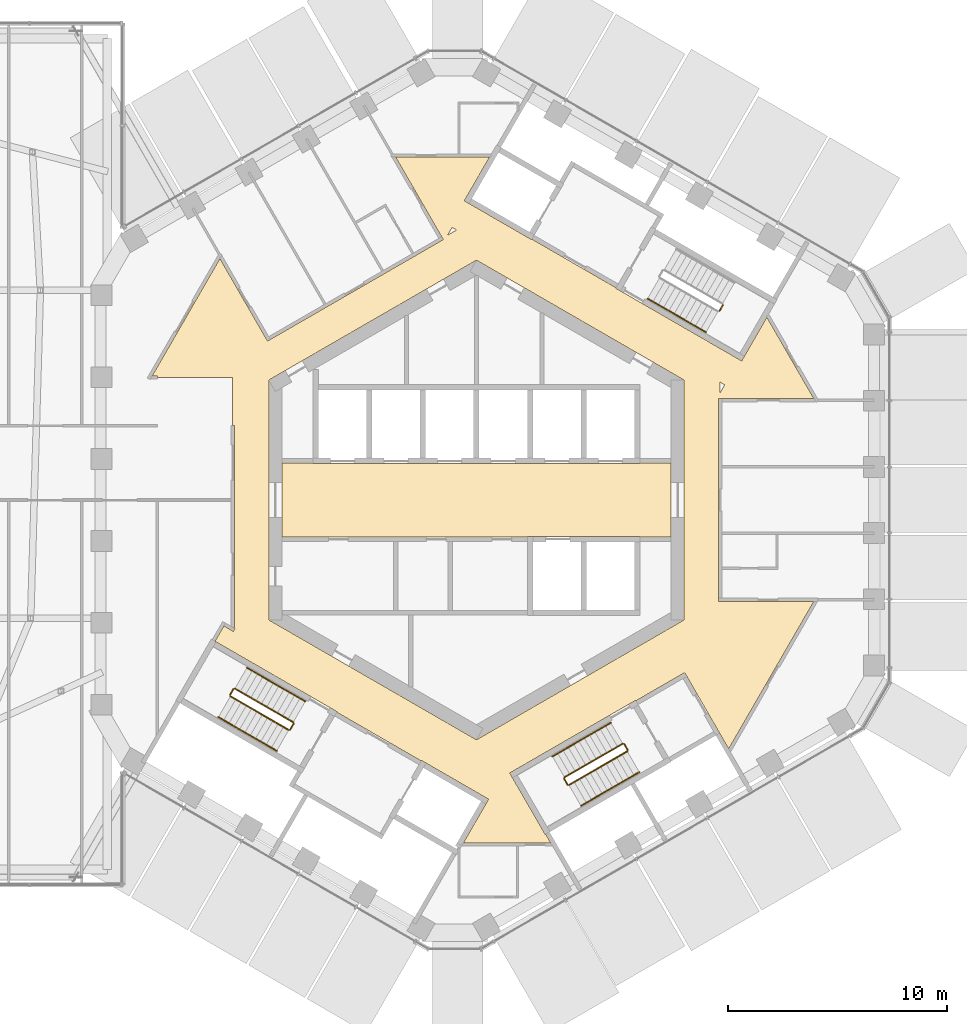
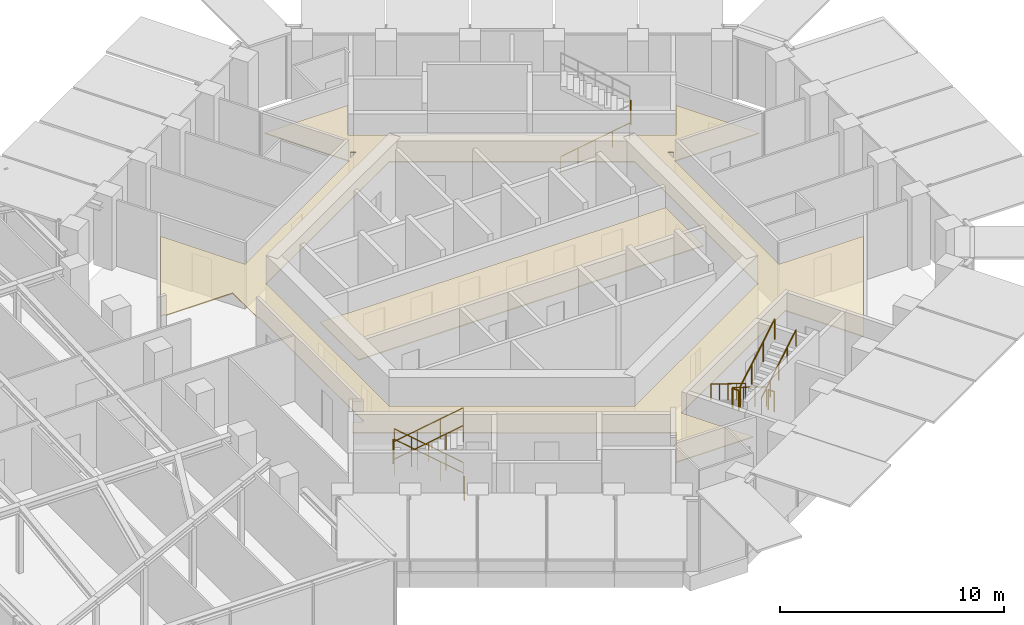
# One storey, part 23 of 24: 19 railings, 2 coverings.
"""IFC4 building model written with IfcOpenShell, lengths in metres."""

from ifc_helpers import new_model, si_unit, direction, frame, origin, origin_2d, place, context, subcontext, project, spatial, polyline, circle, outline, extrude, material, layer, layer_set, type_object, element, save


model = new_model("IFC4")

# Units and contexts
model_context = context("Model", 3, precision=1e-05, world=origin(), true_north=direction((0.0, 1.0)))
body_context = subcontext(model_context, "Body", "Model", "MODEL_VIEW")
ifc_project = project(units=[si_unit("LENGTHUNIT", "METRE"), si_unit("AREAUNIT", "SQUARE_METRE"), si_unit("VOLUMEUNIT", "CUBIC_METRE"), si_unit("PLANEANGLEUNIT", "RADIAN"), si_unit("MASSUNIT", "GRAM", prefix="KILO")], contexts=[model_context])

# Site, building, storey
site_placement = place(None, origin())
site = spatial("IfcSite", under=ifc_project, at=site_placement, CompositionType="ELEMENT")
building_placement = place(site_placement, origin())
building = spatial("IfcBuilding", under=site, at=building_placement, Name="Ayvan Gate Tower", CompositionType="ELEMENT")
storey_placement = place(building_placement, frame((0.0, 0.0, 210.10009765625)))
storey = spatial("IfcBuildingStorey", under=building, at=storey_placement, Name="L56", CompositionType="ELEMENT", Elevation=210.10009765625)

# Coverings
ifc_material_1 = material(Name="Plasterboard suspended ceiling")
ifc_layer = layer(ifc_material_1, 0.050048828125)
ifc_layer_set = layer_set([ifc_layer], Name="Plasterboard suspended ceiling")
covering_type = type_object("IfcCoveringType", Name="CT-SUSP-50", PredefinedType="CEILING", material=ifc_layer_set)
covering_1_placement = place(storey_placement, frame((0.0, 0.0, 2.39990234375)))
element("IfcCovering", 1, at=covering_1_placement, inside=storey, type_object=covering_type, Name="Ceiling Lift Lobby L56", PredefinedType="CEILING", context=body_context, shape_type="SweptSolid", body=[
    extrude(outline(polyline([(7.47509765625, -1.675048828125), (2.324951171875, -1.675048828125), (2.324951171875, -1.699951171875), (-8.89990234375, -1.699951171875), (-8.89990234375, 1.699951171875), (-7.47509765625, 1.699951171875), (-7.47509765625, 1.675048828125), (7.47509765625, 1.675048828125), (7.47509765625, 1.699951171875), (8.89990234375, 1.699951171875), (8.89990234375, -1.699951171875), (7.47509765625, -1.699951171875), (7.47509765625, -1.675048828125)])), origin(), (0.0, 0.0, 1.0), 0.050048828125),
])
covering_2_placement = place(storey_placement, frame((0.0, 0.0, 2.39990234375)))
element("IfcCovering", 2, at=covering_2_placement, inside=storey, type_object=covering_type, Name="Ceiling Ring Corridor L56", PredefinedType="CEILING", context=body_context, shape_type="SweptSolid", body=[
    extrude(outline(polyline([(-11.914794921875, -6.48681640625), (-11.9580078125, -6.461669921875), (-11.552978515625, -5.76025390625), (-11.12255859375, -6.0087890625), (-11.047607421875, -5.87890625), (-11.1298828125, -5.831298828125), (-11.074951171875, -5.831298828125), (-11.074951171875, 3.396484375), (-11.14990234375, 3.396484375), (-11.14990234375, 5.60791015625), (-14.600341796875, 5.60791015625), (-14.600341796875, 5.682861328125), (-14.827392578125, 5.682861328125), (-11.734130859375, 11.040771484375), (-9.557373046875, 7.2705078125), (-9.42724609375, 7.345458984375), (-1.517578125, 11.912109375), (-1.5927734375, 12.0419921875), (-3.694580078125, 15.682373046875), (0.59619140625, 15.682373046875), (-0.55615234375, 13.686767578125), (-0.339599609375, 13.561767578125), (2.518310546875, 11.91162109375), (2.53076171875, 11.933349609375), (6.384521484375, 9.70849609375), (6.3720703125, 9.686767578125), (6.588623046875, 9.561767578125), (12.131103515625, 6.36181640625), (12.24609375, 6.56103515625), (13.283447265625, 8.357421875), (15.4287109375, 4.6416015625), (11.074951171875, 4.6416015625), (11.074951171875, -4.6416015625), (15.4287109375, -4.6416015625), (11.536865234375, -11.38232421875), (11.1337890625, -10.6845703125), (11.123779296875, -10.667236328125), (9.623779296875, -8.069091796875), (9.52392578125, -7.89599609375), (7.2939453125, -9.183349609375), (7.281494140625, -9.16162109375), (1.522216796875, -12.48681640625), (1.647216796875, -12.703369140625), (3.147216796875, -15.30126953125), (3.1689453125, -15.288818359375), (3.396240234375, -15.682373046875), (-0.59619140625, -15.682373046875), (0.43115234375, -13.9033203125), (0.55615234375, -13.686767578125), (-2.284423828125, -12.046630859375), (-2.518310546875, -11.91162109375), (-2.53076171875, -11.933349609375), (-6.384521484375, -9.70849609375), (-6.3720703125, -9.686767578125), (-11.91455078125, -6.48681640625), (-11.914794921875, -6.48681640625)]), holes=[polyline([(11.35546875, 5.26806640625), (11.14990234375, 5.38671875), (11.14990234375, 4.912353515625), (11.35546875, 5.26806640625)]), polyline([(8.38720703125, -6.127197265625), (9.199951171875, -5.657958984375), (9.5, -5.48486328125), (9.5, 5.48486328125), (0.0, 10.9697265625), (-8.704833984375, 5.94384765625), (-9.1640625, 5.6787109375), (-9.5, 5.48486328125), (-9.5, -5.48486328125), (-0.300048828125, -10.79638671875), (0.0, -10.9697265625), (1.533935546875, -10.083984375), (8.38720703125, -6.127197265625)]), polyline([(-1.32080078125, 12.1123046875), (-0.909912109375, 12.349609375), (-1.115478515625, 12.468017578125), (-1.32080078125, 12.1123046875)])]), origin(), (0.0, 0.0, 1.0), 0.050048828125),
])

# Railings
ifc_material_2 = material(Name="Stainless steel balustrade", Category="steel")
railing_type_1 = type_object("IfcRailingType", Name="RL-GUARD-1100", PredefinedType="GUARDRAIL", material=ifc_material_2)
railing_1_placement = place(storey_placement, frame((11.11669921875, 8.644775390625, 2.0)))
element("IfcRailing", 3, at=railing_1_placement, inside=storey, type_object=railing_type_1, Name="L56 STS1 stair guard 2", PredefinedType="GUARDRAIL", context=body_context, shape_type="SweptSolid", body=[
    extrude(circle(Radius=0.02392578125, at=origin_2d()), frame((0.0, 0.0, 1.076171875), z_axis=(0.499949632511, 0.866054481515, 0.0), x_axis=(-0.866054481515, 0.499949632511, 0.0)), (0.0, 0.0, 1.0), 0.31005859375),
    extrude(circle(Radius=0.02099609375, at=origin_2d()), origin(), (0.0, 0.0, 1.0), 1.052001953125),
    extrude(circle(Radius=0.02099609375, at=origin_2d()), frame((0.155029296875, 0.2685546875, 0.0)), (0.0, 0.0, 1.0), 1.052001953125),
])
railing_2_placement = place(storey_placement, frame((-8.381103515625, -10.16650390625, 0.16650390625)))
element("IfcRailing", 4, at=railing_2_placement, inside=storey, type_object=railing_type_1, Name="L56 STS2 stair guard 1", PredefinedType="GUARDRAIL", context=body_context, shape_type="SweptSolid", body=[
    extrude(circle(Radius=0.02392578125, at=origin_2d()), frame((0.0, 0.0, 1.076171875), z_axis=(-0.7441639146, 0.429634447492, 0.511502013422), x_axis=(-0.499992328818, -0.866029832698, 0.0)), (0.0, 0.0, 1.0), 3.58447265625),
    extrude(circle(Radius=0.02099609375, at=origin_2d()), origin(), (0.0, 0.0, 1.0), 1.052001953125),
    extrude(circle(Radius=0.02099609375, at=origin_2d()), frame((-0.88916015625, 0.513427734375, 0.611083984375)), (0.0, 0.0, 1.0), 1.052001953125),
    extrude(circle(Radius=0.02099609375, at=origin_2d()), frame((-1.7783203125, 1.026611328125, 1.222412109375)), (0.0, 0.0, 1.0), 1.052001953125),
    extrude(circle(Radius=0.02099609375, at=origin_2d()), frame((-2.66748046875, 1.5400390625, 1.83349609375)), (0.0, 0.0, 1.0), 1.052001953125),
])
railing_3_placement = place(storey_placement, frame((-11.11669921875, -8.644775390625, 2.0)))
element("IfcRailing", 5, at=railing_3_placement, inside=storey, type_object=railing_type_1, Name="L56 STS2 stair guard 2", PredefinedType="GUARDRAIL", context=body_context, shape_type="SweptSolid", body=[
    extrude(circle(Radius=0.02392578125, at=origin_2d()), frame((0.0, 0.0, 1.076171875), z_axis=(-0.499949632511, -0.866054481515, 0.0), x_axis=(0.866054481515, -0.499949632511, 0.0)), (0.0, 0.0, 1.0), 0.31005859375),
    extrude(circle(Radius=0.02099609375, at=origin_2d()), origin(), (0.0, 0.0, 1.0), 1.052001953125),
    extrude(circle(Radius=0.02099609375, at=origin_2d()), frame((-0.155029296875, -0.2685546875, 0.0)), (0.0, 0.0, 1.0), 1.052001953125),
])
railing_4_placement = place(storey_placement, frame((-11.25341796875, -8.981689453125, 2.16650390625)))
element("IfcRailing", 6, at=railing_4_placement, inside=storey, type_object=railing_type_1, Name="L56 STS2 stair guard 3", PredefinedType="GUARDRAIL", context=body_context, shape_type="SweptSolid", body=[
    extrude(circle(Radius=0.02392578125, at=origin_2d()), frame((0.0, 0.0, 1.076171875), z_axis=(0.744155296881, -0.429600682602, 0.511542908886), x_axis=(0.499967199496, 0.866044340336, 0.0)), (0.0, 0.0, 1.0), 3.584228515625),
    extrude(circle(Radius=0.02099609375, at=origin_2d()), origin(), (0.0, 0.0, 1.0), 1.052001953125),
    extrude(circle(Radius=0.02099609375, at=origin_2d()), frame((0.88916015625, -0.51318359375, 0.611083984375)), (0.0, 0.0, 1.0), 1.052001953125),
    extrude(circle(Radius=0.02099609375, at=origin_2d()), frame((1.778076171875, -1.026611328125, 1.222412109375)), (0.0, 0.0, 1.0), 1.052001953125),
    extrude(circle(Radius=0.02099609375, at=origin_2d()), frame((2.667236328125, -1.539794921875, 1.83349609375)), (0.0, 0.0, 1.0), 1.052001953125),
])
railing_5_placement = place(storey_placement, frame((-8.36279296875, -10.23486328125, 0.0)))
element("IfcRailing", 7, at=railing_5_placement, inside=storey, type_object=railing_type_1, Name="L56 STS2 stair guard 4", PredefinedType="GUARDRAIL", context=body_context, shape_type="SweptSolid", body=[
    extrude(circle(Radius=0.02392578125, at=origin_2d()), frame((0.0, 0.0, 1.076171875), z_axis=(-0.500290723946, -0.86585748916, 0.0), x_axis=(0.86585748916, -0.500290723946, 0.0)), (0.0, 0.0, 1.0), 0.309814453125),
    extrude(circle(Radius=0.02099609375, at=origin_2d()), origin(), (0.0, 0.0, 1.0), 1.052001953125),
    extrude(circle(Radius=0.02099609375, at=origin_2d()), frame((-0.155029296875, -0.268310546875, 0.0)), (0.0, 0.0, 1.0), 1.052001953125),
])
railing_6_placement = place(storey_placement, frame((6.6923828125, -11.1416015625, 0.16650390625)))
element("IfcRailing", 8, at=railing_6_placement, inside=storey, type_object=railing_type_1, Name="L56 STS3 stair guard 1", PredefinedType="GUARDRAIL", context=body_context, shape_type="SweptSolid", body=[
    extrude(circle(Radius=0.02392578125, at=origin_2d()), frame((0.0, 0.0, 1.076171875), z_axis=(-0.74418568968, -0.429578907634, 0.511516980551), x_axis=(0.499932877268, -0.866064153644, 0.0)), (0.0, 0.0, 1.0), 3.58447265625),
    extrude(circle(Radius=0.02099609375, at=origin_2d()), origin(), (0.0, 0.0, 1.0), 1.052001953125),
    extrude(circle(Radius=0.02099609375, at=origin_2d()), frame((-0.88916015625, -0.51318359375, 0.611083984375)), (0.0, 0.0, 1.0), 1.052001953125),
    extrude(circle(Radius=0.02099609375, at=origin_2d()), frame((-1.7783203125, -1.026611328125, 1.222412109375)), (0.0, 0.0, 1.0), 1.052001953125),
    extrude(circle(Radius=0.02099609375, at=origin_2d()), frame((-2.66748046875, -1.539794921875, 1.83349609375)), (0.0, 0.0, 1.0), 1.052001953125),
])
railing_7_placement = place(storey_placement, frame((4.006591796875, -12.749755859375, 2.0)))
element("IfcRailing", 9, at=railing_7_placement, inside=storey, type_object=railing_type_1, Name="L56 STS3 stair guard 2", PredefinedType="GUARDRAIL", context=body_context, shape_type="SweptSolid", body=[
    extrude(circle(Radius=0.02392578125, at=origin_2d()), frame((0.0, 0.0, 1.076171875), z_axis=(0.499949632511, -0.866054481515, 0.0), x_axis=(0.866054481515, 0.499949632511, 0.0)), (0.0, 0.0, 1.0), 0.31005859375),
    extrude(circle(Radius=0.02099609375, at=origin_2d()), origin(), (0.0, 0.0, 1.0), 1.052001953125),
    extrude(circle(Radius=0.02099609375, at=origin_2d()), frame((0.155029296875, -0.2685546875, 0.0)), (0.0, 0.0, 1.0), 1.052001953125),
])
railing_8_placement = place(storey_placement, frame((4.22998046875, -13.03662109375, 2.16650390625)))
element("IfcRailing", 10, at=railing_8_placement, inside=storey, type_object=railing_type_1, Name="L56 STS3 stair guard 3", PredefinedType="GUARDRAIL", context=body_context, shape_type="SweptSolid", body=[
    extrude(circle(Radius=0.02392578125, at=origin_2d()), frame((0.0, 0.0, 1.076171875), z_axis=(0.7441639146, 0.429634447492, 0.511502013422), x_axis=(-0.499992328818, 0.866029832698, 0.0)), (0.0, 0.0, 1.0), 3.58447265625),
    extrude(circle(Radius=0.02099609375, at=origin_2d()), origin(), (0.0, 0.0, 1.0), 1.052001953125),
    extrude(circle(Radius=0.02099609375, at=origin_2d()), frame((0.88916015625, 0.513427734375, 0.611083984375)), (0.0, 0.0, 1.0), 1.052001953125),
    extrude(circle(Radius=0.02099609375, at=origin_2d()), frame((1.7783203125, 1.026611328125, 1.222412109375)), (0.0, 0.0, 1.0), 1.052001953125),
    extrude(circle(Radius=0.02099609375, at=origin_2d()), frame((2.66748046875, 1.5400390625, 1.83349609375)), (0.0, 0.0, 1.0), 1.052001953125),
])
railing_9_placement = place(storey_placement, frame((6.7607421875, -11.159912109375, 0.0)))
element("IfcRailing", 11, at=railing_9_placement, inside=storey, type_object=railing_type_1, Name="L56 STS3 stair guard 4", PredefinedType="GUARDRAIL", context=body_context, shape_type="SweptSolid", body=[
    extrude(circle(Radius=0.02392578125, at=origin_2d()), frame((0.0, 0.0, 1.076171875), z_axis=(0.500290723946, -0.86585748916, 0.0), x_axis=(0.86585748916, 0.500290723946, 0.0)), (0.0, 0.0, 1.0), 0.309814453125),
    extrude(circle(Radius=0.02099609375, at=origin_2d()), origin(), (0.0, 0.0, 1.0), 1.052001953125),
    extrude(circle(Radius=0.02099609375, at=origin_2d()), frame((0.155029296875, -0.268310546875, 0.0)), (0.0, 0.0, 1.0), 1.052001953125),
])
railing_type_2 = type_object("IfcRailingType", Name="RL-HANDRAIL-900", PredefinedType="HANDRAIL", material=ifc_material_2)
for number, where, name in (
    (12, (7.8310546875, 9.2138671875, 0.16650390625), "L56 STS1 stair handrail 1"),
    (13, (9.164794921875, 8.44384765625, 1.083251953125), "L56 STS1 stair handrail 2"),
):
    element("IfcRailing", number, at=place(storey_placement, frame(where)), inside=storey, type_object=railing_type_2, Name=name, PredefinedType="HANDRAIL", context=body_context, shape_type="SweptSolid", body=[
        extrude(circle(Radius=0.02392578125, at=origin_2d()), frame((0.0, 0.0, 0.8759765625), z_axis=(0.7441639146, -0.429634447492, 0.511502013422), x_axis=(0.499992328818, 0.866029832698, 0.0)), (0.0, 0.0, 1.0), 1.792236328125),
        extrude(circle(Radius=0.02099609375, at=origin_2d()), origin(), (0.0, 0.0, 1.0), 0.851806640625),
        extrude(circle(Radius=0.02099609375, at=origin_2d()), frame((0.6669921875, -0.385009765625, 0.45849609375)), (0.0, 0.0, 1.0), 0.851806640625),
        extrude(circle(Radius=0.02099609375, at=origin_2d()), frame((1.333740234375, -0.77001953125, 0.916748046875)), (0.0, 0.0, 1.0), 0.851806640625),
    ])
for number, where, name in (
    (14, (-7.8310546875, -9.2138671875, 0.16650390625), "L56 STS2 stair handrail 1"),
    (15, (-9.164794921875, -8.44384765625, 1.083251953125), "L56 STS2 stair handrail 2"),
):
    element("IfcRailing", number, at=place(storey_placement, frame(where)), inside=storey, type_object=railing_type_2, Name=name, PredefinedType="HANDRAIL", context=body_context, shape_type="SweptSolid", body=[
        extrude(circle(Radius=0.02392578125, at=origin_2d()), frame((0.0, 0.0, 0.8759765625), z_axis=(-0.7441639146, 0.429634447492, 0.511502013422), x_axis=(-0.499992328818, -0.866029832698, 0.0)), (0.0, 0.0, 1.0), 1.792236328125),
        extrude(circle(Radius=0.02099609375, at=origin_2d()), origin(), (0.0, 0.0, 1.0), 0.851806640625),
        extrude(circle(Radius=0.02099609375, at=origin_2d()), frame((-0.6669921875, 0.385009765625, 0.45849609375)), (0.0, 0.0, 1.0), 0.851806640625),
        extrude(circle(Radius=0.02099609375, at=origin_2d()), frame((-1.333740234375, 0.77001953125, 0.916748046875)), (0.0, 0.0, 1.0), 0.851806640625),
    ])
for number, where, name in (
    (16, (-11.803466796875, -9.93408203125, 2.16650390625), "L56 STS2 stair handrail 3"),
    (17, (-10.4697265625, -10.7041015625, 3.083251953125), "L56 STS2 stair handrail 4"),
):
    element("IfcRailing", number, at=place(storey_placement, frame(where)), inside=storey, type_object=railing_type_2, Name=name, PredefinedType="HANDRAIL", context=body_context, shape_type="SweptSolid", body=[
        extrude(circle(Radius=0.02392578125, at=origin_2d()), frame((0.0, 0.0, 0.8759765625), z_axis=(0.7441639146, -0.429634447492, 0.511502013422), x_axis=(0.499992328818, 0.866029832698, 0.0)), (0.0, 0.0, 1.0), 1.792236328125),
        extrude(circle(Radius=0.02099609375, at=origin_2d()), origin(), (0.0, 0.0, 1.0), 0.851806640625),
        extrude(circle(Radius=0.02099609375, at=origin_2d()), frame((0.6669921875, -0.385009765625, 0.45849609375)), (0.0, 0.0, 1.0), 0.851806640625),
        extrude(circle(Radius=0.02099609375, at=origin_2d()), frame((1.333740234375, -0.77001953125, 0.916748046875)), (0.0, 0.0, 1.0), 0.851806640625),
    ])
railing_10_placement = place(storey_placement, frame((6.142333984375, -10.18896484375, 0.16650390625)))
element("IfcRailing", 18, at=railing_10_placement, inside=storey, type_object=railing_type_2, Name="L56 STS3 stair handrail 1", PredefinedType="HANDRAIL", context=body_context, shape_type="SweptSolid", body=[
    extrude(circle(Radius=0.02392578125, at=origin_2d()), frame((0.0, 0.0, 0.8759765625), z_axis=(-0.7441639146, -0.429634447492, 0.511502013422), x_axis=(0.499992328818, -0.866029832698, 0.0)), (0.0, 0.0, 1.0), 1.792236328125),
    extrude(circle(Radius=0.02099609375, at=origin_2d()), origin(), (0.0, 0.0, 1.0), 0.851806640625),
    extrude(circle(Radius=0.02099609375, at=origin_2d()), frame((-0.6669921875, -0.385009765625, 0.45849609375)), (0.0, 0.0, 1.0), 0.851806640625),
    extrude(circle(Radius=0.02099609375, at=origin_2d()), frame((-1.333740234375, -0.77001953125, 0.916748046875)), (0.0, 0.0, 1.0), 0.851806640625),
])
railing_11_placement = place(storey_placement, frame((4.80859375, -10.958984375, 1.083251953125)))
element("IfcRailing", 19, at=railing_11_placement, inside=storey, type_object=railing_type_2, Name="L56 STS3 stair handrail 2", PredefinedType="HANDRAIL", context=body_context, shape_type="SweptSolid", body=[
    extrude(circle(Radius=0.02392578125, at=origin_2d()), frame((0.0, 0.0, 0.8759765625), z_axis=(-0.744146675635, -0.429566911072, 0.511583809412), x_axis=(0.499942064311, -0.866058850386, 0.0)), (0.0, 0.0, 1.0), 1.7919921875),
    extrude(circle(Radius=0.02099609375, at=origin_2d()), origin(), (0.0, 0.0, 1.0), 0.851806640625),
    extrude(circle(Radius=0.02099609375, at=origin_2d()), frame((-0.666748046875, -0.384765625, 0.45849609375)), (0.0, 0.0, 1.0), 0.851806640625),
    extrude(circle(Radius=0.02099609375, at=origin_2d()), frame((-1.33349609375, -0.769775390625, 0.916748046875)), (0.0, 0.0, 1.0), 0.851806640625),
])
railing_12_placement = place(storey_placement, frame((4.780029296875, -13.9892578125, 2.16650390625)))
element("IfcRailing", 20, at=railing_12_placement, inside=storey, type_object=railing_type_2, Name="L56 STS3 stair handrail 3", PredefinedType="HANDRAIL", context=body_context, shape_type="SweptSolid", body=[
    extrude(circle(Radius=0.02392578125, at=origin_2d()), frame((0.0, 0.0, 0.8759765625), z_axis=(0.7441639146, 0.429634447492, 0.511502013422), x_axis=(-0.499992328818, 0.866029832698, 0.0)), (0.0, 0.0, 1.0), 1.792236328125),
    extrude(circle(Radius=0.02099609375, at=origin_2d()), origin(), (0.0, 0.0, 1.0), 0.851806640625),
    extrude(circle(Radius=0.02099609375, at=origin_2d()), frame((0.6669921875, 0.385009765625, 0.45849609375)), (0.0, 0.0, 1.0), 0.851806640625),
    extrude(circle(Radius=0.02099609375, at=origin_2d()), frame((1.333740234375, 0.77001953125, 0.916748046875)), (0.0, 0.0, 1.0), 0.851806640625),
])
railing_13_placement = place(storey_placement, frame((6.11376953125, -13.21923828125, 3.083251953125)))
element("IfcRailing", 21, at=railing_13_placement, inside=storey, type_object=railing_type_2, Name="L56 STS3 stair handrail 4", PredefinedType="HANDRAIL", context=body_context, shape_type="SweptSolid", body=[
    extrude(circle(Radius=0.02392578125, at=origin_2d()), frame((0.0, 0.0, 0.8759765625), z_axis=(0.744103121745, 0.429678001828, 0.51155386711), x_axis=(-0.500060979923, 0.865990194147, 0.0)), (0.0, 0.0, 1.0), 1.7919921875),
    extrude(circle(Radius=0.02099609375, at=origin_2d()), origin(), (0.0, 0.0, 1.0), 0.851806640625),
    extrude(circle(Radius=0.02099609375, at=origin_2d()), frame((0.666748046875, 0.385009765625, 0.45849609375)), (0.0, 0.0, 1.0), 0.851806640625),
    extrude(circle(Radius=0.02099609375, at=origin_2d()), frame((1.33349609375, 0.77001953125, 0.916748046875)), (0.0, 0.0, 1.0), 0.851806640625),
])

save(model, "model.ifc")
